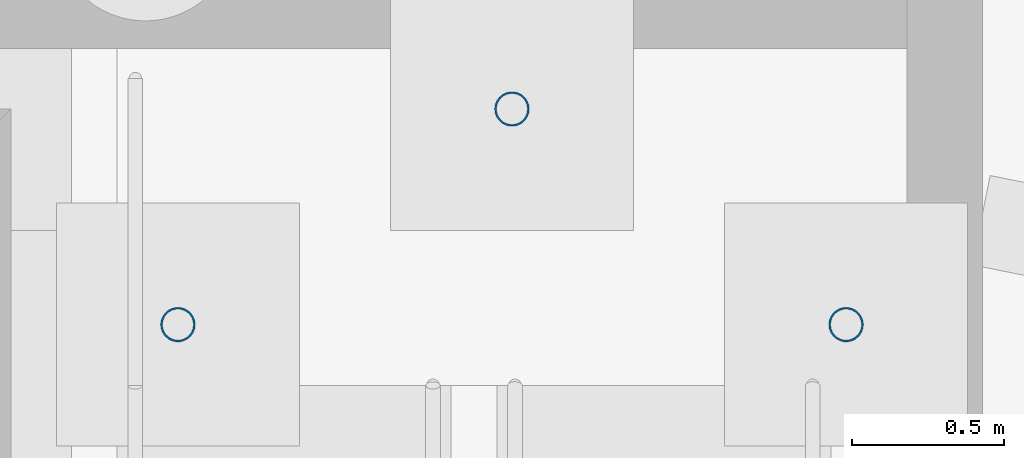
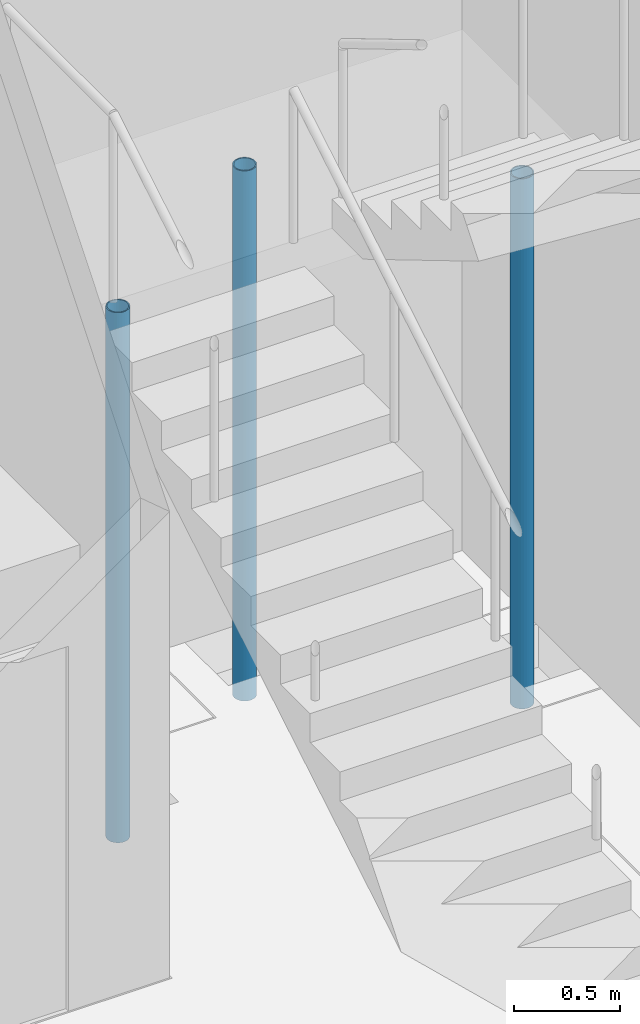
# One storey, part 15 of 226: 3 columns.
"""IFC4 building model written with IfcOpenShell, lengths in metres."""

from ifc_helpers import new_model, si_unit, direction, frame, origin, origin_2d, place, context, subcontext, project, spatial, hollow_circle, extrude, material, material_profile, profile_set, type_object, element, save


model = new_model("IFC4")

# Units and contexts
model_context = context("Model", 3, precision=1e-05, world=origin(), true_north=direction((0.0, 1.0)))
body_context = subcontext(model_context, "Body", "Model", "MODEL_VIEW")
ifc_project = project(units=[si_unit("LENGTHUNIT", "METRE"), si_unit("AREAUNIT", "SQUARE_METRE"), si_unit("VOLUMEUNIT", "CUBIC_METRE"), si_unit("PLANEANGLEUNIT", "RADIAN"), si_unit("MASSUNIT", "GRAM", prefix="KILO")], contexts=[model_context])

# Site, building, storey
site_placement = place(None, origin())
site = spatial("IfcSite", under=ifc_project, at=site_placement, CompositionType="ELEMENT")
building_placement = place(site_placement, origin())
building = spatial("IfcBuilding", under=site, at=building_placement, Name="Ceibo Conservatory and Research Tower", CompositionType="ELEMENT")
storey_placement = place(building_placement, origin())
storey = spatial("IfcBuildingStorey", under=building, at=storey_placement, Name="L00", CompositionType="ELEMENT", Elevation=0.0)

# Columns
ifc_material = material(Name="Steel ASTM A500 Gr C", Category="steel")
ifc_material_profile = material_profile(ifc_material, hollow_circle(Radius=0.05712890625, WallThickness=0.006103515625, at=origin_2d()), Name="CHS column 114.3x6.02")
ifc_profile_set = profile_set([ifc_material_profile], Name="Steel ASTM A500 Gr C")
column_type = type_object("IfcColumnType", Name="CHS column 114.3x6.02", PredefinedType="COLUMN", material=ifc_profile_set)
for number, where, z_axis, x_axis, name in (
    (1, (149.35009765625, 38.840087890625, -0.25), (0.0, 0.0, 1.0), (1.0, 0.0, 0.0), "Stair post VC-SP1"),
    (2, (151.550048828125, 38.840087890625, -0.25), (0.0, 0.0, 1.0), (1.0, 0.0, 0.0), "Stair post VC-SP2"),
    (3, (150.449951171875, 39.550048828125, -0.25), (0.0, 0.0, 1.0), (1.0, 0.0, 0.0), "Stair post VC-SP3"),
):
    element("IfcColumn", number, at=place(storey_placement, frame(where, z_axis=z_axis, x_axis=x_axis)), inside=storey, type_object=column_type, Name=name, PredefinedType="COLUMN", context=body_context, shape_type="SweptSolid", body=[
        extrude(hollow_circle(Radius=0.05712890625, WallThickness=0.006103515625, at=origin_2d()), origin(), (0.0, 0.0, 1.0), 3.050048828125),
    ])

save(model, "model.ifc")
